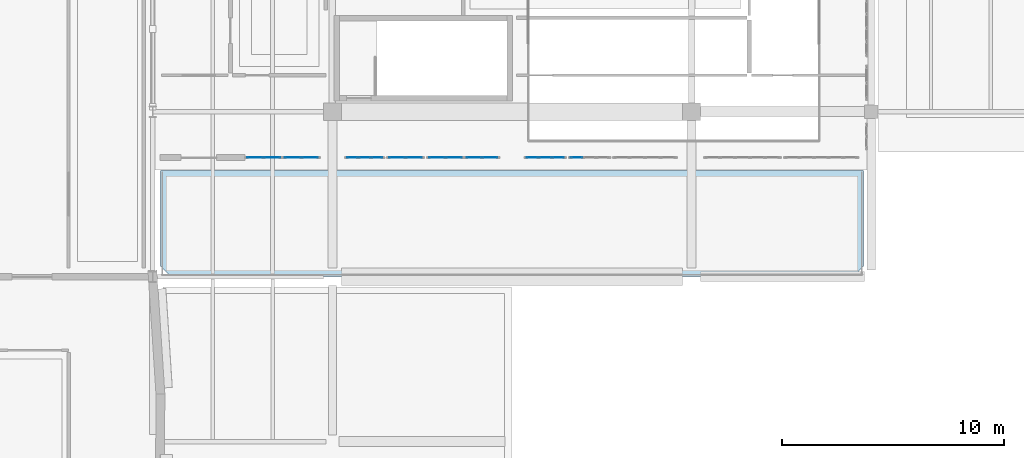
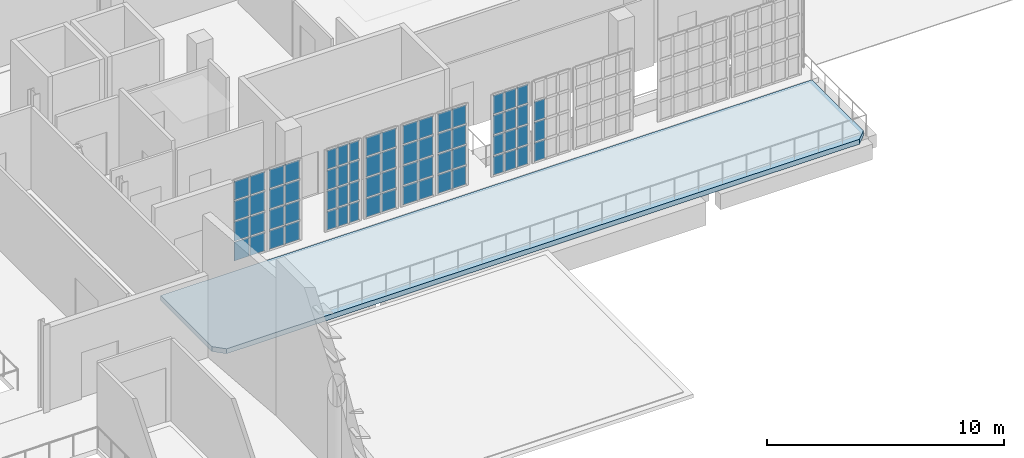
# One storey, part 35 of 56: 67 plates, 1 slab, 8 elements without a shape of their own.
"""IFC4 building model written with IfcOpenShell, lengths in metres."""

from ifc_helpers import new_model, si_unit, direction, frame, origin, origin_2d, place, context, subcontext, project, spatial, polyline, rectangle, outline, extrude, material, layer, layer_set, type_object, element, aggregate, save


model = new_model("IFC4")

# Units and contexts
model_context = context("Model", 3, precision=1e-05, world=origin(), true_north=direction((0.0, 1.0)))
body_context = subcontext(model_context, "Body", "Model", "MODEL_VIEW")
ifc_project = project(units=[si_unit("LENGTHUNIT", "METRE"), si_unit("AREAUNIT", "SQUARE_METRE"), si_unit("VOLUMEUNIT", "CUBIC_METRE"), si_unit("PLANEANGLEUNIT", "RADIAN"), si_unit("MASSUNIT", "GRAM", prefix="KILO")], contexts=[model_context])

# Site, building, storey
site_placement = place(None, origin())
site = spatial("IfcSite", under=ifc_project, at=site_placement, CompositionType="ELEMENT")
building_placement = place(site_placement, origin())
building = spatial("IfcBuilding", under=site, at=building_placement, Name="Kaelora Sail Theatre", CompositionType="ELEMENT")
storey_placement = place(building_placement, frame((0.0, 0.0, 14.699951171875)))
storey = spatial("IfcBuildingStorey", under=building, at=storey_placement, Name="L03", CompositionType="ELEMENT", Elevation=14.699951171875)

# Curtain wall, plates
ifc_material_1 = material(Name="Anodised aluminium and solar-control low-E IGU", Category="aluminium")
curtain_wall_type = type_object("IfcCurtainWallType", Name="ARC-CW-CW-BRG", PredefinedType="NOTDEFINED", material=ifc_material_1)
curtain_wall_1_placement = place(storey_placement, origin())
curtain_wall_1 = element("IfcCurtainWall", 1, at=curtain_wall_1_placement, inside=storey, type_object=curtain_wall_type, Name="Glazed Foyer/Conservatory Curtain Wall FC1-S-L03-01", PredefinedType="NOTDEFINED")
ifc_material_2 = material(Name="Solar-control laminated low-E glass", Category="glass")
ifc_layer_1 = layer(ifc_material_2, 0.031982421875)
ifc_layer_set_1 = layer_set([ifc_layer_1], Name="Solar-control laminated low-E glass")
plate_type = type_object("IfcPlateType", Name="ARC-CW-PNL", PredefinedType="CURTAIN_PANEL", material=ifc_layer_set_1)
plate_1_placement = place(storey_placement, frame((62.81494140625, 66.389892578125, 0.070068359375), z_axis=(0.0, 0.0, 1.0), x_axis=(1.0, 0.0, 0.0)))
plate_1 = element("IfcPlate", 2, at=plate_1_placement, type_object=plate_type, Name="CW-BRG panel 1.1", PredefinedType="CURTAIN_PANEL", context=body_context, shape_type="SweptSolid", body=[
    extrude(rectangle(XDim=0.7099609375, YDim=0.031982421875, at=origin_2d()), origin(), (0.0, 0.0, 1.0), 0.951171875),
])
plate_2_placement = place(storey_placement, frame((62.81494140625, 66.389892578125, 1.09130859375), z_axis=(0.0, 0.0, 1.0), x_axis=(1.0, 0.0, 0.0)))
plate_2 = element("IfcPlate", 3, at=plate_2_placement, type_object=plate_type, Name="CW-BRG panel 1.2", PredefinedType="CURTAIN_PANEL", context=body_context, shape_type="SweptSolid", body=[
    extrude(rectangle(XDim=0.7099609375, YDim=0.031982421875, at=origin_2d()), origin(), (0.0, 0.0, 1.0), 0.986328125),
])
plate_3_placement = place(storey_placement, frame((62.81494140625, 66.389892578125, 2.1474609375), z_axis=(0.0, 0.0, 1.0), x_axis=(1.0, 0.0, 0.0)))
plate_3 = element("IfcPlate", 4, at=plate_3_placement, type_object=plate_type, Name="CW-BRG panel 1.3", PredefinedType="CURTAIN_PANEL", context=body_context, shape_type="SweptSolid", body=[
    extrude(rectangle(XDim=0.7099609375, YDim=0.031982421875, at=origin_2d()), origin(), (0.0, 0.0, 1.0), 0.986083984375),
])
plate_4_placement = place(storey_placement, frame((62.81494140625, 66.389892578125, 3.20361328125), z_axis=(0.0, 0.0, 1.0), x_axis=(1.0, 0.0, 0.0)))
plate_4 = element("IfcPlate", 5, at=plate_4_placement, type_object=plate_type, Name="CW-BRG panel 1.4", PredefinedType="CURTAIN_PANEL", context=body_context, shape_type="SweptSolid", body=[
    extrude(rectangle(XDim=0.7099609375, YDim=0.031982421875, at=origin_2d()), origin(), (0.0, 0.0, 1.0), 0.951416015625),
])
plate_5_placement = place(storey_placement, frame((63.5849609375, 66.389892578125, 0.070068359375), z_axis=(0.0, 0.0, 1.0), x_axis=(1.0, 0.0, 0.0)))
plate_5 = element("IfcPlate", 6, at=plate_5_placement, type_object=plate_type, Name="CW-BRG panel 2.1", PredefinedType="CURTAIN_PANEL", context=body_context, shape_type="SweptSolid", body=[
    extrude(rectangle(XDim=0.7099609375, YDim=0.031982421875, at=origin_2d()), origin(), (0.0, 0.0, 1.0), 0.951171875),
])
plate_6_placement = place(storey_placement, frame((63.5849609375, 66.389892578125, 1.09130859375), z_axis=(0.0, 0.0, 1.0), x_axis=(1.0, 0.0, 0.0)))
plate_6 = element("IfcPlate", 7, at=plate_6_placement, type_object=plate_type, Name="CW-BRG panel 2.2", PredefinedType="CURTAIN_PANEL", context=body_context, shape_type="SweptSolid", body=[
    extrude(rectangle(XDim=0.7099609375, YDim=0.031982421875, at=origin_2d()), origin(), (0.0, 0.0, 1.0), 0.986328125),
])
plate_7_placement = place(storey_placement, frame((63.5849609375, 66.389892578125, 2.1474609375), z_axis=(0.0, 0.0, 1.0), x_axis=(1.0, 0.0, 0.0)))
plate_7 = element("IfcPlate", 8, at=plate_7_placement, type_object=plate_type, Name="CW-BRG panel 2.3", PredefinedType="CURTAIN_PANEL", context=body_context, shape_type="SweptSolid", body=[
    extrude(rectangle(XDim=0.7099609375, YDim=0.031982421875, at=origin_2d()), origin(), (0.0, 0.0, 1.0), 0.986083984375),
])
plate_8_placement = place(storey_placement, frame((63.5849609375, 66.389892578125, 3.20361328125), z_axis=(0.0, 0.0, 1.0), x_axis=(1.0, 0.0, 0.0)))
plate_8 = element("IfcPlate", 9, at=plate_8_placement, type_object=plate_type, Name="CW-BRG panel 2.4", PredefinedType="CURTAIN_PANEL", context=body_context, shape_type="SweptSolid", body=[
    extrude(rectangle(XDim=0.7099609375, YDim=0.031982421875, at=origin_2d()), origin(), (0.0, 0.0, 1.0), 0.951416015625),
])
aggregate(curtain_wall_1, [plate_1, plate_2, plate_3, plate_4, plate_5, plate_6, plate_7, plate_8])

curtain_wall_2_placement = place(storey_placement, origin())
curtain_wall_2 = element("IfcCurtainWall", 10, at=curtain_wall_2_placement, inside=storey, type_object=curtain_wall_type, Name="Glazed Foyer/Conservatory Curtain Wall FC1-S-L03-02", PredefinedType="NOTDEFINED")
plate_9_placement = place(storey_placement, frame((64.514892578125, 66.389892578125, 0.070068359375), z_axis=(0.0, 0.0, 1.0), x_axis=(1.0, 0.0, 0.0)))
plate_9 = element("IfcPlate", 11, at=plate_9_placement, type_object=plate_type, Name="CW-BRG panel 1.1", PredefinedType="CURTAIN_PANEL", context=body_context, shape_type="SweptSolid", body=[
    extrude(rectangle(XDim=0.7099609375, YDim=0.031982421875, at=origin_2d()), origin(), (0.0, 0.0, 1.0), 0.951171875),
])
plate_10_placement = place(storey_placement, frame((64.514892578125, 66.389892578125, 1.09130859375), z_axis=(0.0, 0.0, 1.0), x_axis=(1.0, 0.0, 0.0)))
plate_10 = element("IfcPlate", 12, at=plate_10_placement, type_object=plate_type, Name="CW-BRG panel 1.2", PredefinedType="CURTAIN_PANEL", context=body_context, shape_type="SweptSolid", body=[
    extrude(rectangle(XDim=0.7099609375, YDim=0.031982421875, at=origin_2d()), origin(), (0.0, 0.0, 1.0), 0.986328125),
])
plate_11_placement = place(storey_placement, frame((64.514892578125, 66.389892578125, 2.1474609375), z_axis=(0.0, 0.0, 1.0), x_axis=(1.0, 0.0, 0.0)))
plate_11 = element("IfcPlate", 13, at=plate_11_placement, type_object=plate_type, Name="CW-BRG panel 1.3", PredefinedType="CURTAIN_PANEL", context=body_context, shape_type="SweptSolid", body=[
    extrude(rectangle(XDim=0.7099609375, YDim=0.031982421875, at=origin_2d()), origin(), (0.0, 0.0, 1.0), 0.986083984375),
])
plate_12_placement = place(storey_placement, frame((64.514892578125, 66.389892578125, 3.20361328125), z_axis=(0.0, 0.0, 1.0), x_axis=(1.0, 0.0, 0.0)))
plate_12 = element("IfcPlate", 14, at=plate_12_placement, type_object=plate_type, Name="CW-BRG panel 1.4", PredefinedType="CURTAIN_PANEL", context=body_context, shape_type="SweptSolid", body=[
    extrude(rectangle(XDim=0.7099609375, YDim=0.031982421875, at=origin_2d()), origin(), (0.0, 0.0, 1.0), 0.951416015625),
])
plate_13_placement = place(storey_placement, frame((65.284912109375, 66.389892578125, 0.070068359375), z_axis=(0.0, 0.0, 1.0), x_axis=(1.0, 0.0, 0.0)))
plate_13 = element("IfcPlate", 15, at=plate_13_placement, type_object=plate_type, Name="CW-BRG panel 2.1", PredefinedType="CURTAIN_PANEL", context=body_context, shape_type="SweptSolid", body=[
    extrude(rectangle(XDim=0.7099609375, YDim=0.031982421875, at=origin_2d()), origin(), (0.0, 0.0, 1.0), 0.951171875),
])
plate_14_placement = place(storey_placement, frame((65.284912109375, 66.389892578125, 1.09130859375), z_axis=(0.0, 0.0, 1.0), x_axis=(1.0, 0.0, 0.0)))
plate_14 = element("IfcPlate", 16, at=plate_14_placement, type_object=plate_type, Name="CW-BRG panel 2.2", PredefinedType="CURTAIN_PANEL", context=body_context, shape_type="SweptSolid", body=[
    extrude(rectangle(XDim=0.7099609375, YDim=0.031982421875, at=origin_2d()), origin(), (0.0, 0.0, 1.0), 0.986328125),
])
plate_15_placement = place(storey_placement, frame((65.284912109375, 66.389892578125, 2.1474609375), z_axis=(0.0, 0.0, 1.0), x_axis=(1.0, 0.0, 0.0)))
plate_15 = element("IfcPlate", 17, at=plate_15_placement, type_object=plate_type, Name="CW-BRG panel 2.3", PredefinedType="CURTAIN_PANEL", context=body_context, shape_type="SweptSolid", body=[
    extrude(rectangle(XDim=0.7099609375, YDim=0.031982421875, at=origin_2d()), origin(), (0.0, 0.0, 1.0), 0.986083984375),
])
plate_16_placement = place(storey_placement, frame((65.284912109375, 66.389892578125, 3.20361328125), z_axis=(0.0, 0.0, 1.0), x_axis=(1.0, 0.0, 0.0)))
plate_16 = element("IfcPlate", 18, at=plate_16_placement, type_object=plate_type, Name="CW-BRG panel 2.4", PredefinedType="CURTAIN_PANEL", context=body_context, shape_type="SweptSolid", body=[
    extrude(rectangle(XDim=0.7099609375, YDim=0.031982421875, at=origin_2d()), origin(), (0.0, 0.0, 1.0), 0.951416015625),
])
aggregate(curtain_wall_2, [plate_9, plate_10, plate_11, plate_12, plate_13, plate_14, plate_15, plate_16])

curtain_wall_3_placement = place(storey_placement, origin())
curtain_wall_3 = element("IfcCurtainWall", 19, at=curtain_wall_3_placement, inside=storey, type_object=curtain_wall_type, Name="Glazed Foyer/Conservatory Curtain Wall FC1-S-L03-03", PredefinedType="NOTDEFINED")
plate_17_placement = place(storey_placement, frame((67.1982421875, 66.389892578125, 0.070068359375), z_axis=(0.0, 0.0, 1.0), x_axis=(1.0, 0.0, 0.0)))
plate_17 = element("IfcPlate", 20, at=plate_17_placement, type_object=plate_type, Name="CW-BRG panel 1.1", PredefinedType="CURTAIN_PANEL", context=body_context, shape_type="SweptSolid", body=[
    extrude(rectangle(XDim=0.4765625, YDim=0.031982421875, at=origin_2d()), origin(), (0.0, 0.0, 1.0), 0.951171875),
])
plate_18_placement = place(storey_placement, frame((67.1982421875, 66.389892578125, 1.09130859375), z_axis=(0.0, 0.0, 1.0), x_axis=(1.0, 0.0, 0.0)))
plate_18 = element("IfcPlate", 21, at=plate_18_placement, type_object=plate_type, Name="CW-BRG panel 1.2", PredefinedType="CURTAIN_PANEL", context=body_context, shape_type="SweptSolid", body=[
    extrude(rectangle(XDim=0.4765625, YDim=0.031982421875, at=origin_2d()), origin(), (0.0, 0.0, 1.0), 0.986328125),
])
plate_19_placement = place(storey_placement, frame((67.1982421875, 66.389892578125, 2.1474609375), z_axis=(0.0, 0.0, 1.0), x_axis=(1.0, 0.0, 0.0)))
plate_19 = element("IfcPlate", 22, at=plate_19_placement, type_object=plate_type, Name="CW-BRG panel 1.3", PredefinedType="CURTAIN_PANEL", context=body_context, shape_type="SweptSolid", body=[
    extrude(rectangle(XDim=0.4765625, YDim=0.031982421875, at=origin_2d()), origin(), (0.0, 0.0, 1.0), 0.986083984375),
])
plate_20_placement = place(storey_placement, frame((67.1982421875, 66.389892578125, 3.20361328125), z_axis=(0.0, 0.0, 1.0), x_axis=(1.0, 0.0, 0.0)))
plate_20 = element("IfcPlate", 23, at=plate_20_placement, type_object=plate_type, Name="CW-BRG panel 1.4", PredefinedType="CURTAIN_PANEL", context=body_context, shape_type="SweptSolid", body=[
    extrude(rectangle(XDim=0.4765625, YDim=0.031982421875, at=origin_2d()), origin(), (0.0, 0.0, 1.0), 0.951416015625),
])
plate_21_placement = place(storey_placement, frame((67.75, 66.389892578125, 0.070068359375), z_axis=(0.0, 0.0, 1.0), x_axis=(1.0, 0.0, 0.0)))
plate_21 = element("IfcPlate", 24, at=plate_21_placement, type_object=plate_type, Name="CW-BRG panel 2.1", PredefinedType="CURTAIN_PANEL", context=body_context, shape_type="SweptSolid", body=[
    extrude(rectangle(XDim=0.506591796875, YDim=0.031982421875, at=origin_2d()), origin(), (0.0, 0.0, 1.0), 0.951171875),
])
plate_22_placement = place(storey_placement, frame((67.75, 66.389892578125, 1.09130859375), z_axis=(0.0, 0.0, 1.0), x_axis=(1.0, 0.0, 0.0)))
plate_22 = element("IfcPlate", 25, at=plate_22_placement, type_object=plate_type, Name="CW-BRG panel 2.2", PredefinedType="CURTAIN_PANEL", context=body_context, shape_type="SweptSolid", body=[
    extrude(rectangle(XDim=0.506591796875, YDim=0.031982421875, at=origin_2d()), origin(), (0.0, 0.0, 1.0), 0.986328125),
])
plate_23_placement = place(storey_placement, frame((67.75, 66.389892578125, 2.1474609375), z_axis=(0.0, 0.0, 1.0), x_axis=(1.0, 0.0, 0.0)))
plate_23 = element("IfcPlate", 26, at=plate_23_placement, type_object=plate_type, Name="CW-BRG panel 2.3", PredefinedType="CURTAIN_PANEL", context=body_context, shape_type="SweptSolid", body=[
    extrude(rectangle(XDim=0.506591796875, YDim=0.031982421875, at=origin_2d()), origin(), (0.0, 0.0, 1.0), 0.986083984375),
])
plate_24_placement = place(storey_placement, frame((67.75, 66.389892578125, 3.20361328125), z_axis=(0.0, 0.0, 1.0), x_axis=(1.0, 0.0, 0.0)))
plate_24 = element("IfcPlate", 27, at=plate_24_placement, type_object=plate_type, Name="CW-BRG panel 2.4", PredefinedType="CURTAIN_PANEL", context=body_context, shape_type="SweptSolid", body=[
    extrude(rectangle(XDim=0.506591796875, YDim=0.031982421875, at=origin_2d()), origin(), (0.0, 0.0, 1.0), 0.951416015625),
])
plate_25_placement = place(storey_placement, frame((68.3017578125, 66.389892578125, 0.070068359375), z_axis=(0.0, 0.0, 1.0), x_axis=(1.0, 0.0, 0.0)))
plate_25 = element("IfcPlate", 28, at=plate_25_placement, type_object=plate_type, Name="CW-BRG panel 3.1", PredefinedType="CURTAIN_PANEL", context=body_context, shape_type="SweptSolid", body=[
    extrude(rectangle(XDim=0.4765625, YDim=0.031982421875, at=origin_2d()), origin(), (0.0, 0.0, 1.0), 0.951171875),
])
plate_26_placement = place(storey_placement, frame((68.3017578125, 66.389892578125, 1.09130859375), z_axis=(0.0, 0.0, 1.0), x_axis=(1.0, 0.0, 0.0)))
plate_26 = element("IfcPlate", 29, at=plate_26_placement, type_object=plate_type, Name="CW-BRG panel 3.2", PredefinedType="CURTAIN_PANEL", context=body_context, shape_type="SweptSolid", body=[
    extrude(rectangle(XDim=0.4765625, YDim=0.031982421875, at=origin_2d()), origin(), (0.0, 0.0, 1.0), 0.986328125),
])
plate_27_placement = place(storey_placement, frame((68.3017578125, 66.389892578125, 2.1474609375), z_axis=(0.0, 0.0, 1.0), x_axis=(1.0, 0.0, 0.0)))
plate_27 = element("IfcPlate", 30, at=plate_27_placement, type_object=plate_type, Name="CW-BRG panel 3.3", PredefinedType="CURTAIN_PANEL", context=body_context, shape_type="SweptSolid", body=[
    extrude(rectangle(XDim=0.4765625, YDim=0.031982421875, at=origin_2d()), origin(), (0.0, 0.0, 1.0), 0.986083984375),
])
plate_28_placement = place(storey_placement, frame((68.3017578125, 66.389892578125, 3.20361328125), z_axis=(0.0, 0.0, 1.0), x_axis=(1.0, 0.0, 0.0)))
plate_28 = element("IfcPlate", 31, at=plate_28_placement, type_object=plate_type, Name="CW-BRG panel 3.4", PredefinedType="CURTAIN_PANEL", context=body_context, shape_type="SweptSolid", body=[
    extrude(rectangle(XDim=0.4765625, YDim=0.031982421875, at=origin_2d()), origin(), (0.0, 0.0, 1.0), 0.951416015625),
])
aggregate(curtain_wall_3, [plate_17, plate_18, plate_19, plate_20, plate_21, plate_22, plate_23, plate_24, plate_25, plate_26, plate_27, plate_28])

curtain_wall_4_placement = place(storey_placement, origin())
curtain_wall_4 = element("IfcCurtainWall", 32, at=curtain_wall_4_placement, inside=storey, type_object=curtain_wall_type, Name="Glazed Foyer/Conservatory Curtain Wall FC1-S-L03-04", PredefinedType="NOTDEFINED")
plate_29_placement = place(storey_placement, frame((69.215087890625, 66.389892578125, 0.070068359375), z_axis=(0.0, 0.0, 1.0), x_axis=(1.0, 0.0, 0.0)))
plate_29 = element("IfcPlate", 33, at=plate_29_placement, type_object=plate_type, Name="CW-BRG panel 1.1", PredefinedType="CURTAIN_PANEL", context=body_context, shape_type="SweptSolid", body=[
    extrude(rectangle(XDim=0.7099609375, YDim=0.031982421875, at=origin_2d()), origin(), (0.0, 0.0, 1.0), 0.951171875),
])
plate_30_placement = place(storey_placement, frame((69.215087890625, 66.389892578125, 1.09130859375), z_axis=(0.0, 0.0, 1.0), x_axis=(1.0, 0.0, 0.0)))
plate_30 = element("IfcPlate", 34, at=plate_30_placement, type_object=plate_type, Name="CW-BRG panel 1.2", PredefinedType="CURTAIN_PANEL", context=body_context, shape_type="SweptSolid", body=[
    extrude(rectangle(XDim=0.7099609375, YDim=0.031982421875, at=origin_2d()), origin(), (0.0, 0.0, 1.0), 0.986328125),
])
plate_31_placement = place(storey_placement, frame((69.215087890625, 66.389892578125, 2.1474609375), z_axis=(0.0, 0.0, 1.0), x_axis=(1.0, 0.0, 0.0)))
plate_31 = element("IfcPlate", 35, at=plate_31_placement, type_object=plate_type, Name="CW-BRG panel 1.3", PredefinedType="CURTAIN_PANEL", context=body_context, shape_type="SweptSolid", body=[
    extrude(rectangle(XDim=0.7099609375, YDim=0.031982421875, at=origin_2d()), origin(), (0.0, 0.0, 1.0), 0.986083984375),
])
plate_32_placement = place(storey_placement, frame((69.215087890625, 66.389892578125, 3.20361328125), z_axis=(0.0, 0.0, 1.0), x_axis=(1.0, 0.0, 0.0)))
plate_32 = element("IfcPlate", 36, at=plate_32_placement, type_object=plate_type, Name="CW-BRG panel 1.4", PredefinedType="CURTAIN_PANEL", context=body_context, shape_type="SweptSolid", body=[
    extrude(rectangle(XDim=0.7099609375, YDim=0.031982421875, at=origin_2d()), origin(), (0.0, 0.0, 1.0), 0.951416015625),
])
plate_33_placement = place(storey_placement, frame((69.985107421875, 66.389892578125, 0.070068359375), z_axis=(0.0, 0.0, 1.0), x_axis=(1.0, 0.0, 0.0)))
plate_33 = element("IfcPlate", 37, at=plate_33_placement, type_object=plate_type, Name="CW-BRG panel 2.1", PredefinedType="CURTAIN_PANEL", context=body_context, shape_type="SweptSolid", body=[
    extrude(rectangle(XDim=0.7099609375, YDim=0.031982421875, at=origin_2d()), origin(), (0.0, 0.0, 1.0), 0.951171875),
])
plate_34_placement = place(storey_placement, frame((69.985107421875, 66.389892578125, 1.09130859375), z_axis=(0.0, 0.0, 1.0), x_axis=(1.0, 0.0, 0.0)))
plate_34 = element("IfcPlate", 38, at=plate_34_placement, type_object=plate_type, Name="CW-BRG panel 2.2", PredefinedType="CURTAIN_PANEL", context=body_context, shape_type="SweptSolid", body=[
    extrude(rectangle(XDim=0.7099609375, YDim=0.031982421875, at=origin_2d()), origin(), (0.0, 0.0, 1.0), 0.986328125),
])
plate_35_placement = place(storey_placement, frame((69.985107421875, 66.389892578125, 2.1474609375), z_axis=(0.0, 0.0, 1.0), x_axis=(1.0, 0.0, 0.0)))
plate_35 = element("IfcPlate", 39, at=plate_35_placement, type_object=plate_type, Name="CW-BRG panel 2.3", PredefinedType="CURTAIN_PANEL", context=body_context, shape_type="SweptSolid", body=[
    extrude(rectangle(XDim=0.7099609375, YDim=0.031982421875, at=origin_2d()), origin(), (0.0, 0.0, 1.0), 0.986083984375),
])
plate_36_placement = place(storey_placement, frame((69.985107421875, 66.389892578125, 3.20361328125), z_axis=(0.0, 0.0, 1.0), x_axis=(1.0, 0.0, 0.0)))
plate_36 = element("IfcPlate", 40, at=plate_36_placement, type_object=plate_type, Name="CW-BRG panel 2.4", PredefinedType="CURTAIN_PANEL", context=body_context, shape_type="SweptSolid", body=[
    extrude(rectangle(XDim=0.7099609375, YDim=0.031982421875, at=origin_2d()), origin(), (0.0, 0.0, 1.0), 0.951416015625),
])
aggregate(curtain_wall_4, [plate_29, plate_30, plate_31, plate_32, plate_33, plate_34, plate_35, plate_36])

curtain_wall_5_placement = place(storey_placement, origin())
curtain_wall_5 = element("IfcCurtainWall", 41, at=curtain_wall_5_placement, inside=storey, type_object=curtain_wall_type, Name="Glazed Foyer/Conservatory Curtain Wall FC1-S-L03-05", PredefinedType="NOTDEFINED")
plate_37_placement = place(storey_placement, frame((71.014892578125, 66.389892578125, 0.070068359375), z_axis=(0.0, 0.0, 1.0), x_axis=(1.0, 0.0, 0.0)))
plate_37 = element("IfcPlate", 42, at=plate_37_placement, type_object=plate_type, Name="CW-BRG panel 1.1", PredefinedType="CURTAIN_PANEL", context=body_context, shape_type="SweptSolid", body=[
    extrude(rectangle(XDim=0.7099609375, YDim=0.031982421875, at=origin_2d()), origin(), (0.0, 0.0, 1.0), 0.951171875),
])
plate_38_placement = place(storey_placement, frame((71.014892578125, 66.389892578125, 1.09130859375), z_axis=(0.0, 0.0, 1.0), x_axis=(1.0, 0.0, 0.0)))
plate_38 = element("IfcPlate", 43, at=plate_38_placement, type_object=plate_type, Name="CW-BRG panel 1.2", PredefinedType="CURTAIN_PANEL", context=body_context, shape_type="SweptSolid", body=[
    extrude(rectangle(XDim=0.7099609375, YDim=0.031982421875, at=origin_2d()), origin(), (0.0, 0.0, 1.0), 0.986328125),
])
plate_39_placement = place(storey_placement, frame((71.014892578125, 66.389892578125, 2.1474609375), z_axis=(0.0, 0.0, 1.0), x_axis=(1.0, 0.0, 0.0)))
plate_39 = element("IfcPlate", 44, at=plate_39_placement, type_object=plate_type, Name="CW-BRG panel 1.3", PredefinedType="CURTAIN_PANEL", context=body_context, shape_type="SweptSolid", body=[
    extrude(rectangle(XDim=0.7099609375, YDim=0.031982421875, at=origin_2d()), origin(), (0.0, 0.0, 1.0), 0.986083984375),
])
plate_40_placement = place(storey_placement, frame((71.014892578125, 66.389892578125, 3.20361328125), z_axis=(0.0, 0.0, 1.0), x_axis=(1.0, 0.0, 0.0)))
plate_40 = element("IfcPlate", 45, at=plate_40_placement, type_object=plate_type, Name="CW-BRG panel 1.4", PredefinedType="CURTAIN_PANEL", context=body_context, shape_type="SweptSolid", body=[
    extrude(rectangle(XDim=0.7099609375, YDim=0.031982421875, at=origin_2d()), origin(), (0.0, 0.0, 1.0), 0.951416015625),
])
plate_41_placement = place(storey_placement, frame((71.784912109375, 66.389892578125, 0.070068359375), z_axis=(0.0, 0.0, 1.0), x_axis=(1.0, 0.0, 0.0)))
plate_41 = element("IfcPlate", 46, at=plate_41_placement, type_object=plate_type, Name="CW-BRG panel 2.1", PredefinedType="CURTAIN_PANEL", context=body_context, shape_type="SweptSolid", body=[
    extrude(rectangle(XDim=0.7099609375, YDim=0.031982421875, at=origin_2d()), origin(), (0.0, 0.0, 1.0), 0.951171875),
])
plate_42_placement = place(storey_placement, frame((71.784912109375, 66.389892578125, 1.09130859375), z_axis=(0.0, 0.0, 1.0), x_axis=(1.0, 0.0, 0.0)))
plate_42 = element("IfcPlate", 47, at=plate_42_placement, type_object=plate_type, Name="CW-BRG panel 2.2", PredefinedType="CURTAIN_PANEL", context=body_context, shape_type="SweptSolid", body=[
    extrude(rectangle(XDim=0.7099609375, YDim=0.031982421875, at=origin_2d()), origin(), (0.0, 0.0, 1.0), 0.986328125),
])
plate_43_placement = place(storey_placement, frame((71.784912109375, 66.389892578125, 2.1474609375), z_axis=(0.0, 0.0, 1.0), x_axis=(1.0, 0.0, 0.0)))
plate_43 = element("IfcPlate", 48, at=plate_43_placement, type_object=plate_type, Name="CW-BRG panel 2.3", PredefinedType="CURTAIN_PANEL", context=body_context, shape_type="SweptSolid", body=[
    extrude(rectangle(XDim=0.7099609375, YDim=0.031982421875, at=origin_2d()), origin(), (0.0, 0.0, 1.0), 0.986083984375),
])
plate_44_placement = place(storey_placement, frame((71.784912109375, 66.389892578125, 3.20361328125), z_axis=(0.0, 0.0, 1.0), x_axis=(1.0, 0.0, 0.0)))
plate_44 = element("IfcPlate", 49, at=plate_44_placement, type_object=plate_type, Name="CW-BRG panel 2.4", PredefinedType="CURTAIN_PANEL", context=body_context, shape_type="SweptSolid", body=[
    extrude(rectangle(XDim=0.7099609375, YDim=0.031982421875, at=origin_2d()), origin(), (0.0, 0.0, 1.0), 0.951416015625),
])
aggregate(curtain_wall_5, [plate_37, plate_38, plate_39, plate_40, plate_41, plate_42, plate_43, plate_44])

curtain_wall_6_placement = place(storey_placement, origin())
curtain_wall_6 = element("IfcCurtainWall", 50, at=curtain_wall_6_placement, inside=storey, type_object=curtain_wall_type, Name="Glazed Foyer/Conservatory Curtain Wall FC1-S-L03-06", PredefinedType="NOTDEFINED")
plate_45_placement = place(storey_placement, frame((72.68994140625, 66.389892578125, 0.070068359375), z_axis=(0.0, 0.0, 1.0), x_axis=(1.0, 0.0, 0.0)))
plate_45 = element("IfcPlate", 51, at=plate_45_placement, type_object=plate_type, Name="CW-BRG panel 1.1", PredefinedType="CURTAIN_PANEL", context=body_context, shape_type="SweptSolid", body=[
    extrude(rectangle(XDim=0.659912109375, YDim=0.031982421875, at=origin_2d()), origin(), (0.0, 0.0, 1.0), 0.951171875),
])
plate_46_placement = place(storey_placement, frame((72.68994140625, 66.389892578125, 1.09130859375), z_axis=(0.0, 0.0, 1.0), x_axis=(1.0, 0.0, 0.0)))
plate_46 = element("IfcPlate", 52, at=plate_46_placement, type_object=plate_type, Name="CW-BRG panel 1.2", PredefinedType="CURTAIN_PANEL", context=body_context, shape_type="SweptSolid", body=[
    extrude(rectangle(XDim=0.659912109375, YDim=0.031982421875, at=origin_2d()), origin(), (0.0, 0.0, 1.0), 0.986328125),
])
plate_47_placement = place(storey_placement, frame((72.68994140625, 66.389892578125, 2.1474609375), z_axis=(0.0, 0.0, 1.0), x_axis=(1.0, 0.0, 0.0)))
plate_47 = element("IfcPlate", 53, at=plate_47_placement, type_object=plate_type, Name="CW-BRG panel 1.3", PredefinedType="CURTAIN_PANEL", context=body_context, shape_type="SweptSolid", body=[
    extrude(rectangle(XDim=0.659912109375, YDim=0.031982421875, at=origin_2d()), origin(), (0.0, 0.0, 1.0), 0.986083984375),
])
plate_48_placement = place(storey_placement, frame((72.68994140625, 66.389892578125, 3.20361328125), z_axis=(0.0, 0.0, 1.0), x_axis=(1.0, 0.0, 0.0)))
plate_48 = element("IfcPlate", 54, at=plate_48_placement, type_object=plate_type, Name="CW-BRG panel 1.4", PredefinedType="CURTAIN_PANEL", context=body_context, shape_type="SweptSolid", body=[
    extrude(rectangle(XDim=0.659912109375, YDim=0.031982421875, at=origin_2d()), origin(), (0.0, 0.0, 1.0), 0.951416015625),
])
plate_49_placement = place(storey_placement, frame((73.409912109375, 66.389892578125, 0.070068359375), z_axis=(0.0, 0.0, 1.0), x_axis=(1.0, 0.0, 0.0)))
plate_49 = element("IfcPlate", 55, at=plate_49_placement, type_object=plate_type, Name="CW-BRG panel 2.1", PredefinedType="CURTAIN_PANEL", context=body_context, shape_type="SweptSolid", body=[
    extrude(rectangle(XDim=0.659912109375, YDim=0.031982421875, at=origin_2d()), origin(), (0.0, 0.0, 1.0), 0.951171875),
])
plate_50_placement = place(storey_placement, frame((73.409912109375, 66.389892578125, 1.09130859375), z_axis=(0.0, 0.0, 1.0), x_axis=(1.0, 0.0, 0.0)))
plate_50 = element("IfcPlate", 56, at=plate_50_placement, type_object=plate_type, Name="CW-BRG panel 2.2", PredefinedType="CURTAIN_PANEL", context=body_context, shape_type="SweptSolid", body=[
    extrude(rectangle(XDim=0.659912109375, YDim=0.031982421875, at=origin_2d()), origin(), (0.0, 0.0, 1.0), 0.986328125),
])
plate_51_placement = place(storey_placement, frame((73.409912109375, 66.389892578125, 2.1474609375), z_axis=(0.0, 0.0, 1.0), x_axis=(1.0, 0.0, 0.0)))
plate_51 = element("IfcPlate", 57, at=plate_51_placement, type_object=plate_type, Name="CW-BRG panel 2.3", PredefinedType="CURTAIN_PANEL", context=body_context, shape_type="SweptSolid", body=[
    extrude(rectangle(XDim=0.659912109375, YDim=0.031982421875, at=origin_2d()), origin(), (0.0, 0.0, 1.0), 0.986083984375),
])
plate_52_placement = place(storey_placement, frame((73.409912109375, 66.389892578125, 3.20361328125), z_axis=(0.0, 0.0, 1.0), x_axis=(1.0, 0.0, 0.0)))
plate_52 = element("IfcPlate", 58, at=plate_52_placement, type_object=plate_type, Name="CW-BRG panel 2.4", PredefinedType="CURTAIN_PANEL", context=body_context, shape_type="SweptSolid", body=[
    extrude(rectangle(XDim=0.659912109375, YDim=0.031982421875, at=origin_2d()), origin(), (0.0, 0.0, 1.0), 0.951416015625),
])
aggregate(curtain_wall_6, [plate_45, plate_46, plate_47, plate_48, plate_49, plate_50, plate_51, plate_52])

curtain_wall_7_placement = place(storey_placement, origin())
curtain_wall_7 = element("IfcCurtainWall", 59, at=curtain_wall_7_placement, inside=storey, type_object=curtain_wall_type, Name="Glazed Foyer/Conservatory Curtain Wall FC1-S-L03-07", PredefinedType="NOTDEFINED")
plate_53_placement = place(storey_placement, frame((75.31494140625, 66.389892578125, 0.070068359375), z_axis=(0.0, 0.0, 1.0), x_axis=(1.0, 0.0, 0.0)))
plate_53 = element("IfcPlate", 60, at=plate_53_placement, type_object=plate_type, Name="CW-BRG panel 1.1", PredefinedType="CURTAIN_PANEL", context=body_context, shape_type="SweptSolid", body=[
    extrude(rectangle(XDim=0.510009765625, YDim=0.031982421875, at=origin_2d()), origin(), (0.0, 0.0, 1.0), 0.951171875),
])
plate_54_placement = place(storey_placement, frame((75.31494140625, 66.389892578125, 1.09130859375), z_axis=(0.0, 0.0, 1.0), x_axis=(1.0, 0.0, 0.0)))
plate_54 = element("IfcPlate", 61, at=plate_54_placement, type_object=plate_type, Name="CW-BRG panel 1.2", PredefinedType="CURTAIN_PANEL", context=body_context, shape_type="SweptSolid", body=[
    extrude(rectangle(XDim=0.510009765625, YDim=0.031982421875, at=origin_2d()), origin(), (0.0, 0.0, 1.0), 0.986328125),
])
plate_55_placement = place(storey_placement, frame((75.31494140625, 66.389892578125, 2.1474609375), z_axis=(0.0, 0.0, 1.0), x_axis=(1.0, 0.0, 0.0)))
plate_55 = element("IfcPlate", 62, at=plate_55_placement, type_object=plate_type, Name="CW-BRG panel 1.3", PredefinedType="CURTAIN_PANEL", context=body_context, shape_type="SweptSolid", body=[
    extrude(rectangle(XDim=0.510009765625, YDim=0.031982421875, at=origin_2d()), origin(), (0.0, 0.0, 1.0), 0.986083984375),
])
plate_56_placement = place(storey_placement, frame((75.31494140625, 66.389892578125, 3.20361328125), z_axis=(0.0, 0.0, 1.0), x_axis=(1.0, 0.0, 0.0)))
plate_56 = element("IfcPlate", 63, at=plate_56_placement, type_object=plate_type, Name="CW-BRG panel 1.4", PredefinedType="CURTAIN_PANEL", context=body_context, shape_type="SweptSolid", body=[
    extrude(rectangle(XDim=0.510009765625, YDim=0.031982421875, at=origin_2d()), origin(), (0.0, 0.0, 1.0), 0.951416015625),
])
plate_57_placement = place(storey_placement, frame((75.89990234375, 66.389892578125, 0.070068359375), z_axis=(0.0, 0.0, 1.0), x_axis=(1.0, 0.0, 0.0)))
plate_57 = element("IfcPlate", 64, at=plate_57_placement, type_object=plate_type, Name="CW-BRG panel 2.1", PredefinedType="CURTAIN_PANEL", context=body_context, shape_type="SweptSolid", body=[
    extrude(rectangle(XDim=0.5400390625, YDim=0.031982421875, at=origin_2d()), origin(), (0.0, 0.0, 1.0), 0.951171875),
])
plate_58_placement = place(storey_placement, frame((75.89990234375, 66.389892578125, 1.09130859375), z_axis=(0.0, 0.0, 1.0), x_axis=(1.0, 0.0, 0.0)))
plate_58 = element("IfcPlate", 65, at=plate_58_placement, type_object=plate_type, Name="CW-BRG panel 2.2", PredefinedType="CURTAIN_PANEL", context=body_context, shape_type="SweptSolid", body=[
    extrude(rectangle(XDim=0.5400390625, YDim=0.031982421875, at=origin_2d()), origin(), (0.0, 0.0, 1.0), 0.986328125),
])
plate_59_placement = place(storey_placement, frame((75.89990234375, 66.389892578125, 2.1474609375), z_axis=(0.0, 0.0, 1.0), x_axis=(1.0, 0.0, 0.0)))
plate_59 = element("IfcPlate", 66, at=plate_59_placement, type_object=plate_type, Name="CW-BRG panel 2.3", PredefinedType="CURTAIN_PANEL", context=body_context, shape_type="SweptSolid", body=[
    extrude(rectangle(XDim=0.5400390625, YDim=0.031982421875, at=origin_2d()), origin(), (0.0, 0.0, 1.0), 0.986083984375),
])
plate_60_placement = place(storey_placement, frame((75.89990234375, 66.389892578125, 3.20361328125), z_axis=(0.0, 0.0, 1.0), x_axis=(1.0, 0.0, 0.0)))
plate_60 = element("IfcPlate", 67, at=plate_60_placement, type_object=plate_type, Name="CW-BRG panel 2.4", PredefinedType="CURTAIN_PANEL", context=body_context, shape_type="SweptSolid", body=[
    extrude(rectangle(XDim=0.5400390625, YDim=0.031982421875, at=origin_2d()), origin(), (0.0, 0.0, 1.0), 0.951416015625),
])
plate_61_placement = place(storey_placement, frame((76.485107421875, 66.389892578125, 0.070068359375), z_axis=(0.0, 0.0, 1.0), x_axis=(1.0, 0.0, 0.0)))
plate_61 = element("IfcPlate", 68, at=plate_61_placement, type_object=plate_type, Name="CW-BRG panel 3.1", PredefinedType="CURTAIN_PANEL", context=body_context, shape_type="SweptSolid", body=[
    extrude(rectangle(XDim=0.510009765625, YDim=0.031982421875, at=origin_2d()), origin(), (0.0, 0.0, 1.0), 0.951171875),
])
plate_62_placement = place(storey_placement, frame((76.485107421875, 66.389892578125, 1.09130859375), z_axis=(0.0, 0.0, 1.0), x_axis=(1.0, 0.0, 0.0)))
plate_62 = element("IfcPlate", 69, at=plate_62_placement, type_object=plate_type, Name="CW-BRG panel 3.2", PredefinedType="CURTAIN_PANEL", context=body_context, shape_type="SweptSolid", body=[
    extrude(rectangle(XDim=0.510009765625, YDim=0.031982421875, at=origin_2d()), origin(), (0.0, 0.0, 1.0), 0.986328125),
])
plate_63_placement = place(storey_placement, frame((76.485107421875, 66.389892578125, 2.1474609375), z_axis=(0.0, 0.0, 1.0), x_axis=(1.0, 0.0, 0.0)))
plate_63 = element("IfcPlate", 70, at=plate_63_placement, type_object=plate_type, Name="CW-BRG panel 3.3", PredefinedType="CURTAIN_PANEL", context=body_context, shape_type="SweptSolid", body=[
    extrude(rectangle(XDim=0.510009765625, YDim=0.031982421875, at=origin_2d()), origin(), (0.0, 0.0, 1.0), 0.986083984375),
])
plate_64_placement = place(storey_placement, frame((76.485107421875, 66.389892578125, 3.20361328125), z_axis=(0.0, 0.0, 1.0), x_axis=(1.0, 0.0, 0.0)))
plate_64 = element("IfcPlate", 71, at=plate_64_placement, type_object=plate_type, Name="CW-BRG panel 3.4", PredefinedType="CURTAIN_PANEL", context=body_context, shape_type="SweptSolid", body=[
    extrude(rectangle(XDim=0.510009765625, YDim=0.031982421875, at=origin_2d()), origin(), (0.0, 0.0, 1.0), 0.951416015625),
])
aggregate(curtain_wall_7, [plate_53, plate_54, plate_55, plate_56, plate_57, plate_58, plate_59, plate_60, plate_61, plate_62, plate_63, plate_64])

curtain_wall_8_placement = place(storey_placement, origin())
curtain_wall_8 = element("IfcCurtainWall", 72, at=curtain_wall_8_placement, inside=storey, type_object=curtain_wall_type, Name="Glazed Foyer/Conservatory Curtain Wall FC1-S-L03-08", PredefinedType="NOTDEFINED")
plate_65_placement = place(storey_placement, frame((77.31494140625, 66.389892578125, 0.070068359375), z_axis=(0.0, 0.0, 1.0), x_axis=(1.0, 0.0, 0.0)))
plate_65 = element("IfcPlate", 73, at=plate_65_placement, type_object=plate_type, Name="CW-BRG panel 1.1", PredefinedType="CURTAIN_PANEL", context=body_context, shape_type="SweptSolid", body=[
    extrude(rectangle(XDim=0.510009765625, YDim=0.031982421875, at=origin_2d()), origin(), (0.0, 0.0, 1.0), 0.951171875),
])
plate_66_placement = place(storey_placement, frame((77.31494140625, 66.389892578125, 1.09130859375), z_axis=(0.0, 0.0, 1.0), x_axis=(1.0, 0.0, 0.0)))
plate_66 = element("IfcPlate", 74, at=plate_66_placement, type_object=plate_type, Name="CW-BRG panel 1.2", PredefinedType="CURTAIN_PANEL", context=body_context, shape_type="SweptSolid", body=[
    extrude(rectangle(XDim=0.510009765625, YDim=0.031982421875, at=origin_2d()), origin(), (0.0, 0.0, 1.0), 0.986328125),
])
plate_67_placement = place(storey_placement, frame((77.31494140625, 66.389892578125, 2.1474609375), z_axis=(0.0, 0.0, 1.0), x_axis=(1.0, 0.0, 0.0)))
plate_67 = element("IfcPlate", 75, at=plate_67_placement, type_object=plate_type, Name="CW-BRG panel 1.3", PredefinedType="CURTAIN_PANEL", context=body_context, shape_type="SweptSolid", body=[
    extrude(rectangle(XDim=0.510009765625, YDim=0.031982421875, at=origin_2d()), origin(), (0.0, 0.0, 1.0), 0.986083984375),
])
aggregate(curtain_wall_8, [plate_65, plate_66, plate_67])

# Slab
ifc_material_3 = material(Name="Concrete C40/50", Category="concrete")
ifc_layer_2 = layer(ifc_material_3, 0.2548828125)
ifc_layer_set_2 = layer_set([ifc_layer_2], Name="Concrete C40/50")
slab_type = type_object("IfcSlabType", Name="STR-SLB-SL-TR255", PredefinedType="FLOOR", material=ifc_layer_set_2)
slab_placement = place(storey_placement, frame((0.0, 0.0, -0.2548828125)))
element("IfcSlab", 76, at=slab_placement, inside=storey, type_object=slab_type, Name="Third Step Belvedere Foyer Planted Podium Terrace", PredefinedType="FLOOR", context=body_context, shape_type="SweptSolid", body=[
    extrude(outline(polyline([(59.0, 61.034912109375), (89.800048828125, 61.034912109375), (90.25, 61.485107421875), (90.25, 65.81494140625), (58.550048828125, 65.81494140625), (58.550048828125, 61.485107421875), (59.0, 61.034912109375)])), origin(), (0.0, 0.0, 1.0), 0.2548828125),
])

save(model, "model.ifc")
